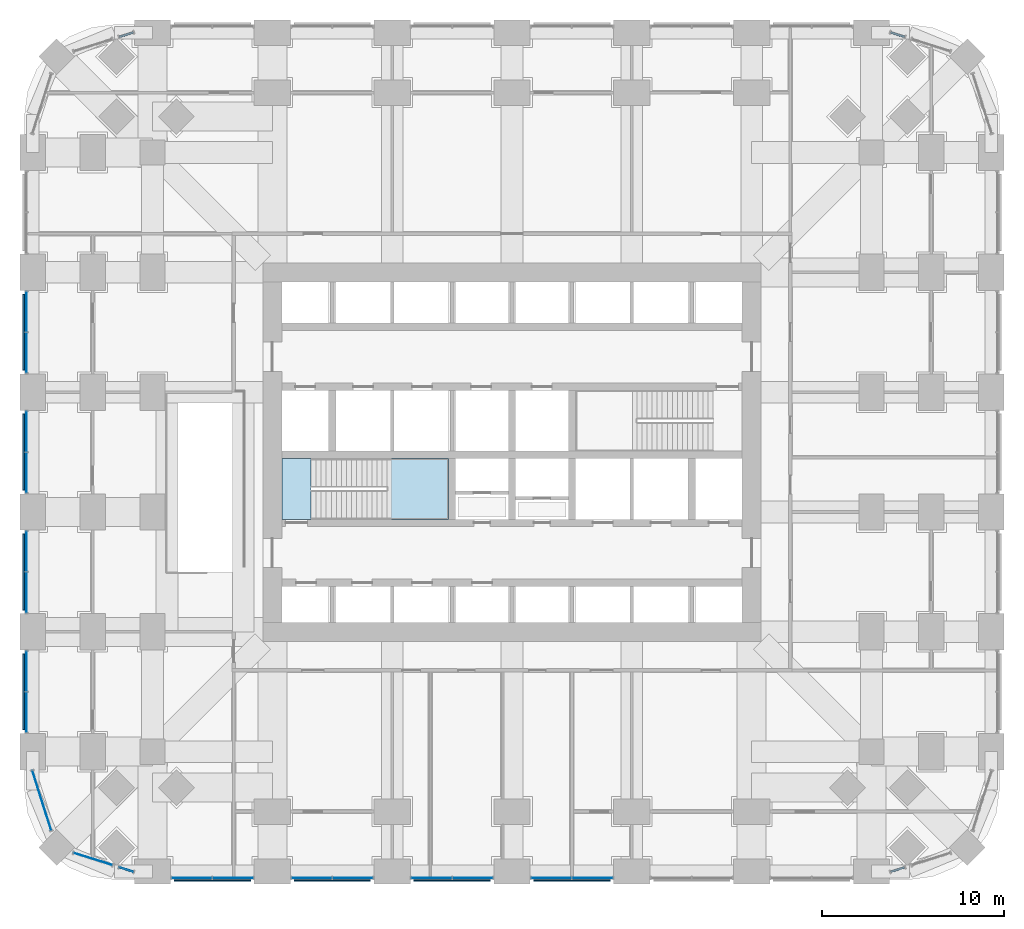
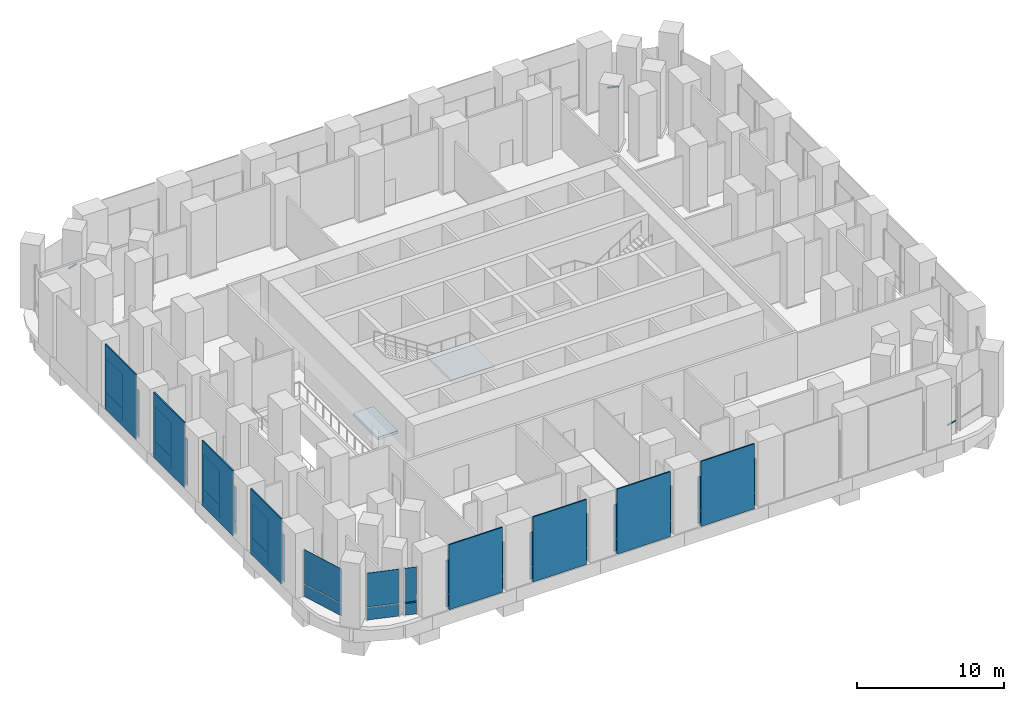
# One storey, part 7 of 17: 46 plates, 4 members, 2 slabs, 15 elements without a shape of their own.
"""IFC4 building model written with IfcOpenShell, lengths in metres."""

from ifc_helpers import new_model, si_unit, direction, frame, origin, origin_2d, place, context, subcontext, project, spatial, polyline, rectangle, outline, extrude, material, layer, layer_set, material_profile, profile_set, type_object, element, aggregate, save


model = new_model("IFC4")

# Units and contexts
model_context = context("Model", 3, precision=1e-05, world=origin(), true_north=direction((0.0, 1.0)))
body_context = subcontext(model_context, "Body", "Model", "MODEL_VIEW")
ifc_project = project(units=[si_unit("LENGTHUNIT", "METRE"), si_unit("AREAUNIT", "SQUARE_METRE"), si_unit("VOLUMEUNIT", "CUBIC_METRE"), si_unit("PLANEANGLEUNIT", "RADIAN"), si_unit("MASSUNIT", "GRAM", prefix="KILO")], contexts=[model_context])

# Site, building, storey
site_placement = place(None, origin())
site = spatial("IfcSite", under=ifc_project, at=site_placement, CompositionType="ELEMENT")
building_placement = place(site_placement, origin())
building = spatial("IfcBuilding", under=site, at=building_placement, Name="Cobogo Forest Laboratory Tower", CompositionType="ELEMENT")
storey_placement = place(building_placement, frame((0.0, 0.0, 7.199951171875)))
storey = spatial("IfcBuildingStorey", under=building, at=storey_placement, Name="L01", CompositionType="ELEMENT", Elevation=7.199951171875)

# Curtain wall, member
ifc_material_1 = material(Name="Aluminium curtain wall", Category="aluminium")
curtain_wall_type = type_object("IfcCurtainWallType", Name="CW-K stick curtain wall, podium laboratories", PredefinedType="USERDEFINED", material=ifc_material_1)
curtain_wall_1_placement = place(storey_placement, origin())
curtain_wall_1 = element("IfcCurtainWall", 1, at=curtain_wall_1_placement, inside=storey, type_object=curtain_wall_type, Name="Curtain wall 07 L01", ObjectType="STICK CURTAIN WALL", PredefinedType="USERDEFINED")
ifc_material_2 = material(Name="Aluminium transom", Category="aluminium")
ifc_material_profile = material_profile(ifc_material_2, rectangle(XDim=0.1201171875, YDim=0.06005859375, at=origin_2d()), Name="AL 60x120")
ifc_profile_set = profile_set([ifc_material_profile], Name="Aluminium transom")
member_type = type_object("IfcMemberType", Name="TR-1 aluminium transom 60x120", PredefinedType="USERDEFINED", material=ifc_profile_set)
member_1_placement = place(storey_placement, frame((47.25732421875, -0.01611328125, 1.050048828125), z_axis=(0.953541389606, 0.301262042596, 0.0), x_axis=(-0.301262042596, 0.953541389606, 0.0)))
member_1 = element("IfcMember", 2, at=member_1_placement, type_object=member_type, Name="CW-K transom 1.1", ObjectType="TRANSOM", PredefinedType="USERDEFINED", context=body_context, shape_type="SweptSolid", body=[
    extrude(rectangle(XDim=0.1201171875, YDim=0.06005859375, at=origin_2d()), origin(), (0.0, 0.0, 1.0), 0.8046875),
])
aggregate(curtain_wall_1, [member_1])

curtain_wall_2_placement = place(storey_placement, origin())
curtain_wall_2 = element("IfcCurtainWall", 3, at=curtain_wall_2_placement, inside=storey, type_object=curtain_wall_type, Name="Curtain wall 17 L01", ObjectType="STICK CURTAIN WALL", PredefinedType="USERDEFINED")
member_2_placement = place(storey_placement, frame((48.024658203125, 45.973876953125, 1.050048828125), z_axis=(-0.953628510017, 0.300986153973, 0.0), x_axis=(-0.300986153973, -0.953628510017, 0.0)))
member_2 = element("IfcMember", 4, at=member_2_placement, type_object=member_type, Name="CW-K transom 1.1", ObjectType="TRANSOM", PredefinedType="USERDEFINED", context=body_context, shape_type="SweptSolid", body=[
    extrude(rectangle(XDim=0.1201171875, YDim=0.06005859375, at=origin_2d()), origin(), (0.0, 0.0, 1.0), 0.8046875),
])
aggregate(curtain_wall_2, [member_2])

curtain_wall_3_placement = place(storey_placement, origin())
curtain_wall_3 = element("IfcCurtainWall", 5, at=curtain_wall_3_placement, inside=storey, type_object=curtain_wall_type, Name="Curtain wall 24 L01", ObjectType="STICK CURTAIN WALL", PredefinedType="USERDEFINED")
member_3_placement = place(storey_placement, frame((5.542724609375, 46.216064453125, 1.050048828125), z_axis=(-0.953628510017, -0.300986153973, 0.0), x_axis=(0.300986153973, -0.953628510017, 0.0)))
member_3 = element("IfcMember", 6, at=member_3_placement, type_object=member_type, Name="CW-K transom 1.1", ObjectType="TRANSOM", PredefinedType="USERDEFINED", context=body_context, shape_type="SweptSolid", body=[
    extrude(rectangle(XDim=0.1201171875, YDim=0.06005859375, at=origin_2d()), origin(), (0.0, 0.0, 1.0), 0.8046875),
])
aggregate(curtain_wall_3, [member_3])

curtain_wall_4_placement = place(storey_placement, origin())
curtain_wall_4 = element("IfcCurtainWall", 7, at=curtain_wall_4_placement, inside=storey, type_object=curtain_wall_type, Name="Curtain wall 34 L01", ObjectType="STICK CURTAIN WALL", PredefinedType="USERDEFINED")
member_4_placement = place(storey_placement, frame((4.775390625, 0.226318359375, 1.050048828125), z_axis=(0.953541389606, -0.301262042596, 0.0), x_axis=(0.301262042596, 0.953541389606, 0.0)))
member_4 = element("IfcMember", 8, at=member_4_placement, type_object=member_type, Name="CW-K transom 1.1", ObjectType="TRANSOM", PredefinedType="USERDEFINED", context=body_context, shape_type="SweptSolid", body=[
    extrude(rectangle(XDim=0.1201171875, YDim=0.06005859375, at=origin_2d()), origin(), (0.0, 0.0, 1.0), 0.8046875),
])

# Plates
ifc_material_3 = material(Name="Pierced concrete block", Category="concrete")
ifc_layer_1 = layer(ifc_material_3, 0.10009765625)
ifc_layer_set_1 = layer_set([ifc_layer_1], Name="CO1 cobogo block screen 100")
plate_type_1 = type_object("IfcPlateType", Name="CO1 cobogo block screen 100", PredefinedType="USERDEFINED", material=ifc_layer_set_1)
for number, where, z_axis, x_axis, name in (
    (9, (9.89990234375, -0.5, -0.14990234375), (0.0, 0.0, 1.0), (1.0, 0.0, 0.0), "Cobogo screen S1 L01"),
    (10, (16.5, -0.5, -0.14990234375), (0.0, 0.0, 1.0), (1.0, 0.0, 0.0), "Cobogo screen S2 L01"),
    (11, (23.10009765625, -0.5, -0.14990234375), (0.0, 0.0, 1.0), (1.0, 0.0, 0.0), "Cobogo screen S3 L01"),
    (12, (29.699951171875, -0.5, -0.14990234375), (0.0, 0.0, 1.0), (1.0, 0.0, 0.0), "Cobogo screen S4 L01"),
    (13, (-0.5, 9.89990234375, -0.14990234375), (0.0, 0.0, 1.0), (0.0, 1.0, 0.0), "Cobogo screen W1 L01"),
    (14, (-0.5, 16.5, -0.14990234375), (0.0, 0.0, 1.0), (0.0, 1.0, 0.0), "Cobogo screen W2 L01"),
    (15, (-0.5, 23.10009765625, -0.14990234375), (0.0, 0.0, 1.0), (0.0, 1.0, 0.0), "Cobogo screen W3 L01"),
    (16, (-0.5, 29.699951171875, -0.14990234375), (0.0, 0.0, 1.0), (0.0, 1.0, 0.0), "Cobogo screen W4 L01"),
):
    element("IfcPlate", number, at=place(storey_placement, frame(where, z_axis=z_axis, x_axis=x_axis)), inside=storey, type_object=plate_type_1, Name=name, ObjectType="COBOGO SCREEN", PredefinedType="USERDEFINED", context=body_context, shape_type="SweptSolid", body=[
        extrude(rectangle(XDim=4.199951171875, YDim=0.10009765625, at=origin_2d()), origin(), (0.0, 0.0, 1.0), 5.39990234375),
    ])

# Curtain wall, plates
curtain_wall_5_placement = place(storey_placement, origin())
curtain_wall_5 = element("IfcCurtainWall", 17, at=curtain_wall_5_placement, inside=storey, type_object=curtain_wall_type, Name="Curtain wall 01 L01", ObjectType="STICK CURTAIN WALL", PredefinedType="USERDEFINED")
ifc_material_4 = material(Name="Clear insulated glass", Category="glass")
ifc_layer_2 = layer(ifc_material_4, 0.028076171875)
ifc_layer_set_2 = layer_set([ifc_layer_2], Name="GP-1 clear insulated glass unit 28")
plate_type_2 = type_object("IfcPlateType", Name="GP-1 clear insulated glass unit 28", PredefinedType="CURTAIN_PANEL", material=ifc_layer_set_2)
plate_1_placement = place(storey_placement, frame((8.764892578125, -0.35009765625, 0.0), z_axis=(0.0, 0.0, 1.0), x_axis=(1.0, 0.0, 0.0)))
plate_1 = element("IfcPlate", 18, at=plate_1_placement, type_object=plate_type_2, Name="CW-K panel 1.1", PredefinedType="CURTAIN_PANEL", context=body_context, shape_type="SweptSolid", body=[
    extrude(rectangle(XDim=2.2099609375, YDim=0.028076171875, at=origin_2d()), origin(), (0.0, 0.0, 1.0), 1.02001953125),
])
plate_2_placement = place(storey_placement, frame((8.764892578125, -0.35009765625, 1.080078125), z_axis=(0.0, 0.0, 1.0), x_axis=(1.0, 0.0, 0.0)))
plate_2 = element("IfcPlate", 19, at=plate_2_placement, type_object=plate_type_2, Name="CW-K panel 1.2", PredefinedType="CURTAIN_PANEL", context=body_context, shape_type="SweptSolid", body=[
    extrude(rectangle(XDim=2.2099609375, YDim=0.028076171875, at=origin_2d()), origin(), (0.0, 0.0, 1.0), 2.820068359375),
])
plate_3_placement = place(storey_placement, frame((11.034912109375, -0.35009765625, 0.0), z_axis=(0.0, 0.0, 1.0), x_axis=(1.0, 0.0, 0.0)))
plate_3 = element("IfcPlate", 20, at=plate_3_placement, type_object=plate_type_2, Name="CW-K panel 2.1", PredefinedType="CURTAIN_PANEL", context=body_context, shape_type="SweptSolid", body=[
    extrude(rectangle(XDim=2.2099609375, YDim=0.028076171875, at=origin_2d()), origin(), (0.0, 0.0, 1.0), 1.02001953125),
])
plate_4_placement = place(storey_placement, frame((11.034912109375, -0.35009765625, 1.080078125), z_axis=(0.0, 0.0, 1.0), x_axis=(1.0, 0.0, 0.0)))
plate_4 = element("IfcPlate", 21, at=plate_4_placement, type_object=plate_type_2, Name="CW-K panel 2.2", PredefinedType="CURTAIN_PANEL", context=body_context, shape_type="SweptSolid", body=[
    extrude(rectangle(XDim=2.2099609375, YDim=0.028076171875, at=origin_2d()), origin(), (0.0, 0.0, 1.0), 2.820068359375),
])
aggregate(curtain_wall_5, [plate_1, plate_2, plate_3, plate_4])

curtain_wall_6_placement = place(storey_placement, origin())
curtain_wall_6 = element("IfcCurtainWall", 22, at=curtain_wall_6_placement, inside=storey, type_object=curtain_wall_type, Name="Curtain wall 02 L01", ObjectType="STICK CURTAIN WALL", PredefinedType="USERDEFINED")
plate_5_placement = place(storey_placement, frame((15.364990234375, -0.35009765625, 0.0), z_axis=(0.0, 0.0, 1.0), x_axis=(1.0, 0.0, 0.0)))
plate_5 = element("IfcPlate", 23, at=plate_5_placement, type_object=plate_type_2, Name="CW-K panel 1.1", PredefinedType="CURTAIN_PANEL", context=body_context, shape_type="SweptSolid", body=[
    extrude(rectangle(XDim=2.2099609375, YDim=0.028076171875, at=origin_2d()), origin(), (0.0, 0.0, 1.0), 1.02001953125),
])
plate_6_placement = place(storey_placement, frame((15.364990234375, -0.35009765625, 1.080078125), z_axis=(0.0, 0.0, 1.0), x_axis=(1.0, 0.0, 0.0)))
plate_6 = element("IfcPlate", 24, at=plate_6_placement, type_object=plate_type_2, Name="CW-K panel 1.2", PredefinedType="CURTAIN_PANEL", context=body_context, shape_type="SweptSolid", body=[
    extrude(rectangle(XDim=2.2099609375, YDim=0.028076171875, at=origin_2d()), origin(), (0.0, 0.0, 1.0), 2.820068359375),
])
plate_7_placement = place(storey_placement, frame((17.635009765625, -0.35009765625, 0.0), z_axis=(0.0, 0.0, 1.0), x_axis=(1.0, 0.0, 0.0)))
plate_7 = element("IfcPlate", 25, at=plate_7_placement, type_object=plate_type_2, Name="CW-K panel 2.1", PredefinedType="CURTAIN_PANEL", context=body_context, shape_type="SweptSolid", body=[
    extrude(rectangle(XDim=2.2099609375, YDim=0.028076171875, at=origin_2d()), origin(), (0.0, 0.0, 1.0), 1.02001953125),
])
plate_8_placement = place(storey_placement, frame((17.635009765625, -0.35009765625, 1.080078125), z_axis=(0.0, 0.0, 1.0), x_axis=(1.0, 0.0, 0.0)))
plate_8 = element("IfcPlate", 26, at=plate_8_placement, type_object=plate_type_2, Name="CW-K panel 2.2", PredefinedType="CURTAIN_PANEL", context=body_context, shape_type="SweptSolid", body=[
    extrude(rectangle(XDim=2.2099609375, YDim=0.028076171875, at=origin_2d()), origin(), (0.0, 0.0, 1.0), 2.820068359375),
])
aggregate(curtain_wall_6, [plate_5, plate_6, plate_7, plate_8])

curtain_wall_7_placement = place(storey_placement, origin())
curtain_wall_7 = element("IfcCurtainWall", 27, at=curtain_wall_7_placement, inside=storey, type_object=curtain_wall_type, Name="Curtain wall 03 L01", ObjectType="STICK CURTAIN WALL", PredefinedType="USERDEFINED")
plate_9_placement = place(storey_placement, frame((21.965087890625, -0.35009765625, 0.0), z_axis=(0.0, 0.0, 1.0), x_axis=(1.0, 0.0, 0.0)))
plate_9 = element("IfcPlate", 28, at=plate_9_placement, type_object=plate_type_2, Name="CW-K panel 1.1", PredefinedType="CURTAIN_PANEL", context=body_context, shape_type="SweptSolid", body=[
    extrude(rectangle(XDim=2.2099609375, YDim=0.028076171875, at=origin_2d()), origin(), (0.0, 0.0, 1.0), 1.02001953125),
])
plate_10_placement = place(storey_placement, frame((21.965087890625, -0.35009765625, 1.080078125), z_axis=(0.0, 0.0, 1.0), x_axis=(1.0, 0.0, 0.0)))
plate_10 = element("IfcPlate", 29, at=plate_10_placement, type_object=plate_type_2, Name="CW-K panel 1.2", PredefinedType="CURTAIN_PANEL", context=body_context, shape_type="SweptSolid", body=[
    extrude(rectangle(XDim=2.2099609375, YDim=0.028076171875, at=origin_2d()), origin(), (0.0, 0.0, 1.0), 2.820068359375),
])
plate_11_placement = place(storey_placement, frame((24.235107421875, -0.35009765625, 0.0), z_axis=(0.0, 0.0, 1.0), x_axis=(1.0, 0.0, 0.0)))
plate_11 = element("IfcPlate", 30, at=plate_11_placement, type_object=plate_type_2, Name="CW-K panel 2.1", PredefinedType="CURTAIN_PANEL", context=body_context, shape_type="SweptSolid", body=[
    extrude(rectangle(XDim=2.2099609375, YDim=0.028076171875, at=origin_2d()), origin(), (0.0, 0.0, 1.0), 1.02001953125),
])
plate_12_placement = place(storey_placement, frame((24.235107421875, -0.35009765625, 1.080078125), z_axis=(0.0, 0.0, 1.0), x_axis=(1.0, 0.0, 0.0)))
plate_12 = element("IfcPlate", 31, at=plate_12_placement, type_object=plate_type_2, Name="CW-K panel 2.2", PredefinedType="CURTAIN_PANEL", context=body_context, shape_type="SweptSolid", body=[
    extrude(rectangle(XDim=2.2099609375, YDim=0.028076171875, at=origin_2d()), origin(), (0.0, 0.0, 1.0), 2.820068359375),
])
aggregate(curtain_wall_7, [plate_9, plate_10, plate_11, plate_12])

curtain_wall_8_placement = place(storey_placement, origin())
curtain_wall_8 = element("IfcCurtainWall", 32, at=curtain_wall_8_placement, inside=storey, type_object=curtain_wall_type, Name="Curtain wall 04 L01", ObjectType="STICK CURTAIN WALL", PredefinedType="USERDEFINED")
plate_13_placement = place(storey_placement, frame((28.56494140625, -0.35009765625, 0.0), z_axis=(0.0, 0.0, 1.0), x_axis=(1.0, 0.0, 0.0)))
plate_13 = element("IfcPlate", 33, at=plate_13_placement, type_object=plate_type_2, Name="CW-K panel 1.1", PredefinedType="CURTAIN_PANEL", context=body_context, shape_type="SweptSolid", body=[
    extrude(rectangle(XDim=2.2099609375, YDim=0.028076171875, at=origin_2d()), origin(), (0.0, 0.0, 1.0), 1.02001953125),
])
plate_14_placement = place(storey_placement, frame((28.56494140625, -0.35009765625, 1.080078125), z_axis=(0.0, 0.0, 1.0), x_axis=(1.0, 0.0, 0.0)))
plate_14 = element("IfcPlate", 34, at=plate_14_placement, type_object=plate_type_2, Name="CW-K panel 1.2", PredefinedType="CURTAIN_PANEL", context=body_context, shape_type="SweptSolid", body=[
    extrude(rectangle(XDim=2.2099609375, YDim=0.028076171875, at=origin_2d()), origin(), (0.0, 0.0, 1.0), 2.820068359375),
])
plate_15_placement = place(storey_placement, frame((30.8349609375, -0.35009765625, 0.0), z_axis=(0.0, 0.0, 1.0), x_axis=(1.0, 0.0, 0.0)))
plate_15 = element("IfcPlate", 35, at=plate_15_placement, type_object=plate_type_2, Name="CW-K panel 2.1", PredefinedType="CURTAIN_PANEL", context=body_context, shape_type="SweptSolid", body=[
    extrude(rectangle(XDim=2.2099609375, YDim=0.028076171875, at=origin_2d()), origin(), (0.0, 0.0, 1.0), 1.02001953125),
])
plate_16_placement = place(storey_placement, frame((30.8349609375, -0.35009765625, 1.080078125), z_axis=(0.0, 0.0, 1.0), x_axis=(1.0, 0.0, 0.0)))
plate_16 = element("IfcPlate", 36, at=plate_16_placement, type_object=plate_type_2, Name="CW-K panel 2.2", PredefinedType="CURTAIN_PANEL", context=body_context, shape_type="SweptSolid", body=[
    extrude(rectangle(XDim=2.2099609375, YDim=0.028076171875, at=origin_2d()), origin(), (0.0, 0.0, 1.0), 2.820068359375),
])
aggregate(curtain_wall_8, [plate_13, plate_14, plate_15, plate_16])

curtain_wall_9_placement = place(storey_placement, origin())
curtain_wall_9 = element("IfcCurtainWall", 37, at=curtain_wall_9_placement, inside=storey, type_object=curtain_wall_type, Name="Curtain wall 28 L01", ObjectType="STICK CURTAIN WALL", PredefinedType="USERDEFINED")
plate_17_placement = place(storey_placement, frame((-0.35009765625, 30.8349609375, 0.0), z_axis=(0.0, 0.0, 1.0), x_axis=(0.0, -1.0, 0.0)))
plate_17 = element("IfcPlate", 38, at=plate_17_placement, type_object=plate_type_2, Name="CW-K panel 1.1", PredefinedType="CURTAIN_PANEL", context=body_context, shape_type="SweptSolid", body=[
    extrude(rectangle(XDim=2.2099609375, YDim=0.028076171875, at=origin_2d()), origin(), (0.0, 0.0, 1.0), 1.02001953125),
])
plate_18_placement = place(storey_placement, frame((-0.35009765625, 30.8349609375, 1.080078125), z_axis=(0.0, 0.0, 1.0), x_axis=(0.0, -1.0, 0.0)))
plate_18 = element("IfcPlate", 39, at=plate_18_placement, type_object=plate_type_2, Name="CW-K panel 1.2", PredefinedType="CURTAIN_PANEL", context=body_context, shape_type="SweptSolid", body=[
    extrude(rectangle(XDim=2.2099609375, YDim=0.028076171875, at=origin_2d()), origin(), (0.0, 0.0, 1.0), 2.820068359375),
])
plate_19_placement = place(storey_placement, frame((-0.35009765625, 28.56494140625, 0.0), z_axis=(0.0, 0.0, 1.0), x_axis=(0.0, -1.0, 0.0)))
plate_19 = element("IfcPlate", 40, at=plate_19_placement, type_object=plate_type_2, Name="CW-K panel 2.1", PredefinedType="CURTAIN_PANEL", context=body_context, shape_type="SweptSolid", body=[
    extrude(rectangle(XDim=2.2099609375, YDim=0.028076171875, at=origin_2d()), origin(), (0.0, 0.0, 1.0), 1.02001953125),
])
plate_20_placement = place(storey_placement, frame((-0.35009765625, 28.56494140625, 1.080078125), z_axis=(0.0, 0.0, 1.0), x_axis=(0.0, -1.0, 0.0)))
plate_20 = element("IfcPlate", 41, at=plate_20_placement, type_object=plate_type_2, Name="CW-K panel 2.2", PredefinedType="CURTAIN_PANEL", context=body_context, shape_type="SweptSolid", body=[
    extrude(rectangle(XDim=2.2099609375, YDim=0.028076171875, at=origin_2d()), origin(), (0.0, 0.0, 1.0), 2.820068359375),
])
aggregate(curtain_wall_9, [plate_17, plate_18, plate_19, plate_20])

curtain_wall_10_placement = place(storey_placement, origin())
curtain_wall_10 = element("IfcCurtainWall", 42, at=curtain_wall_10_placement, inside=storey, type_object=curtain_wall_type, Name="Curtain wall 29 L01", ObjectType="STICK CURTAIN WALL", PredefinedType="USERDEFINED")
plate_21_placement = place(storey_placement, frame((-0.35009765625, 24.235107421875, 0.0), z_axis=(0.0, 0.0, 1.0), x_axis=(0.0, -1.0, 0.0)))
plate_21 = element("IfcPlate", 43, at=plate_21_placement, type_object=plate_type_2, Name="CW-K panel 1.1", PredefinedType="CURTAIN_PANEL", context=body_context, shape_type="SweptSolid", body=[
    extrude(rectangle(XDim=2.2099609375, YDim=0.028076171875, at=origin_2d()), origin(), (0.0, 0.0, 1.0), 1.02001953125),
])
plate_22_placement = place(storey_placement, frame((-0.35009765625, 24.235107421875, 1.080078125), z_axis=(0.0, 0.0, 1.0), x_axis=(0.0, -1.0, 0.0)))
plate_22 = element("IfcPlate", 44, at=plate_22_placement, type_object=plate_type_2, Name="CW-K panel 1.2", PredefinedType="CURTAIN_PANEL", context=body_context, shape_type="SweptSolid", body=[
    extrude(rectangle(XDim=2.2099609375, YDim=0.028076171875, at=origin_2d()), origin(), (0.0, 0.0, 1.0), 2.820068359375),
])
plate_23_placement = place(storey_placement, frame((-0.35009765625, 21.965087890625, 0.0), z_axis=(0.0, 0.0, 1.0), x_axis=(0.0, -1.0, 0.0)))
plate_23 = element("IfcPlate", 45, at=plate_23_placement, type_object=plate_type_2, Name="CW-K panel 2.1", PredefinedType="CURTAIN_PANEL", context=body_context, shape_type="SweptSolid", body=[
    extrude(rectangle(XDim=2.2099609375, YDim=0.028076171875, at=origin_2d()), origin(), (0.0, 0.0, 1.0), 1.02001953125),
])
plate_24_placement = place(storey_placement, frame((-0.35009765625, 21.965087890625, 1.080078125), z_axis=(0.0, 0.0, 1.0), x_axis=(0.0, -1.0, 0.0)))
plate_24 = element("IfcPlate", 46, at=plate_24_placement, type_object=plate_type_2, Name="CW-K panel 2.2", PredefinedType="CURTAIN_PANEL", context=body_context, shape_type="SweptSolid", body=[
    extrude(rectangle(XDim=2.2099609375, YDim=0.028076171875, at=origin_2d()), origin(), (0.0, 0.0, 1.0), 2.820068359375),
])
aggregate(curtain_wall_10, [plate_21, plate_22, plate_23, plate_24])

curtain_wall_11_placement = place(storey_placement, origin())
curtain_wall_11 = element("IfcCurtainWall", 47, at=curtain_wall_11_placement, inside=storey, type_object=curtain_wall_type, Name="Curtain wall 30 L01", ObjectType="STICK CURTAIN WALL", PredefinedType="USERDEFINED")
plate_25_placement = place(storey_placement, frame((-0.35009765625, 17.635009765625, 0.0), z_axis=(0.0, 0.0, 1.0), x_axis=(0.0, -1.0, 0.0)))
plate_25 = element("IfcPlate", 48, at=plate_25_placement, type_object=plate_type_2, Name="CW-K panel 1.1", PredefinedType="CURTAIN_PANEL", context=body_context, shape_type="SweptSolid", body=[
    extrude(rectangle(XDim=2.2099609375, YDim=0.028076171875, at=origin_2d()), origin(), (0.0, 0.0, 1.0), 1.02001953125),
])
plate_26_placement = place(storey_placement, frame((-0.35009765625, 17.635009765625, 1.080078125), z_axis=(0.0, 0.0, 1.0), x_axis=(0.0, -1.0, 0.0)))
plate_26 = element("IfcPlate", 49, at=plate_26_placement, type_object=plate_type_2, Name="CW-K panel 1.2", PredefinedType="CURTAIN_PANEL", context=body_context, shape_type="SweptSolid", body=[
    extrude(rectangle(XDim=2.2099609375, YDim=0.028076171875, at=origin_2d()), origin(), (0.0, 0.0, 1.0), 2.820068359375),
])
plate_27_placement = place(storey_placement, frame((-0.35009765625, 15.364990234375, 0.0), z_axis=(0.0, 0.0, 1.0), x_axis=(0.0, -1.0, 0.0)))
plate_27 = element("IfcPlate", 50, at=plate_27_placement, type_object=plate_type_2, Name="CW-K panel 2.1", PredefinedType="CURTAIN_PANEL", context=body_context, shape_type="SweptSolid", body=[
    extrude(rectangle(XDim=2.2099609375, YDim=0.028076171875, at=origin_2d()), origin(), (0.0, 0.0, 1.0), 1.02001953125),
])
plate_28_placement = place(storey_placement, frame((-0.35009765625, 15.364990234375, 1.080078125), z_axis=(0.0, 0.0, 1.0), x_axis=(0.0, -1.0, 0.0)))
plate_28 = element("IfcPlate", 51, at=plate_28_placement, type_object=plate_type_2, Name="CW-K panel 2.2", PredefinedType="CURTAIN_PANEL", context=body_context, shape_type="SweptSolid", body=[
    extrude(rectangle(XDim=2.2099609375, YDim=0.028076171875, at=origin_2d()), origin(), (0.0, 0.0, 1.0), 2.820068359375),
])
aggregate(curtain_wall_11, [plate_25, plate_26, plate_27, plate_28])

curtain_wall_12_placement = place(storey_placement, origin())
curtain_wall_12 = element("IfcCurtainWall", 52, at=curtain_wall_12_placement, inside=storey, type_object=curtain_wall_type, Name="Curtain wall 31 L01", ObjectType="STICK CURTAIN WALL", PredefinedType="USERDEFINED")
plate_29_placement = place(storey_placement, frame((-0.35009765625, 11.034912109375, 0.0), z_axis=(0.0, 0.0, 1.0), x_axis=(0.0, -1.0, 0.0)))
plate_29 = element("IfcPlate", 53, at=plate_29_placement, type_object=plate_type_2, Name="CW-K panel 1.1", PredefinedType="CURTAIN_PANEL", context=body_context, shape_type="SweptSolid", body=[
    extrude(rectangle(XDim=2.2099609375, YDim=0.028076171875, at=origin_2d()), origin(), (0.0, 0.0, 1.0), 1.02001953125),
])
plate_30_placement = place(storey_placement, frame((-0.35009765625, 11.034912109375, 1.080078125), z_axis=(0.0, 0.0, 1.0), x_axis=(0.0, -1.0, 0.0)))
plate_30 = element("IfcPlate", 54, at=plate_30_placement, type_object=plate_type_2, Name="CW-K panel 1.2", PredefinedType="CURTAIN_PANEL", context=body_context, shape_type="SweptSolid", body=[
    extrude(rectangle(XDim=2.2099609375, YDim=0.028076171875, at=origin_2d()), origin(), (0.0, 0.0, 1.0), 2.820068359375),
])
plate_31_placement = place(storey_placement, frame((-0.35009765625, 8.764892578125, 0.0), z_axis=(0.0, 0.0, 1.0), x_axis=(0.0, -1.0, 0.0)))
plate_31 = element("IfcPlate", 55, at=plate_31_placement, type_object=plate_type_2, Name="CW-K panel 2.1", PredefinedType="CURTAIN_PANEL", context=body_context, shape_type="SweptSolid", body=[
    extrude(rectangle(XDim=2.2099609375, YDim=0.028076171875, at=origin_2d()), origin(), (0.0, 0.0, 1.0), 1.02001953125),
])
plate_32_placement = place(storey_placement, frame((-0.35009765625, 8.764892578125, 1.080078125), z_axis=(0.0, 0.0, 1.0), x_axis=(0.0, -1.0, 0.0)))
plate_32 = element("IfcPlate", 56, at=plate_32_placement, type_object=plate_type_2, Name="CW-K panel 2.2", PredefinedType="CURTAIN_PANEL", context=body_context, shape_type="SweptSolid", body=[
    extrude(rectangle(XDim=2.2099609375, YDim=0.028076171875, at=origin_2d()), origin(), (0.0, 0.0, 1.0), 2.820068359375),
])
aggregate(curtain_wall_12, [plate_29, plate_30, plate_31, plate_32])

curtain_wall_13_placement = place(storey_placement, origin())
curtain_wall_13 = element("IfcCurtainWall", 57, at=curtain_wall_13_placement, inside=storey, type_object=curtain_wall_type, Name="Curtain wall 32 L01", ObjectType="STICK CURTAIN WALL", PredefinedType="USERDEFINED")
plate_33_placement = place(storey_placement, frame((0.5009765625, 3.905029296875, 0.0), z_axis=(0.0, 0.0, 1.0), x_axis=(0.301135433696, -0.953581381201, 0.0)))
plate_33 = element("IfcPlate", 58, at=plate_33_placement, type_object=plate_type_2, Name="CW-K panel 1.1", PredefinedType="CURTAIN_PANEL", context=body_context, shape_type="SweptSolid", body=[
    extrude(rectangle(XDim=3.434814453125, YDim=0.028076171875, at=origin_2d()), origin(), (0.0, 0.0, 1.0), 1.02001953125),
])
plate_34_placement = place(storey_placement, frame((0.5009765625, 3.905029296875, 1.080078125), z_axis=(0.0, 0.0, 1.0), x_axis=(0.301135433696, -0.953581381201, 0.0)))
plate_34 = element("IfcPlate", 59, at=plate_34_placement, type_object=plate_type_2, Name="CW-K panel 1.2", PredefinedType="CURTAIN_PANEL", context=body_context, shape_type="SweptSolid", body=[
    extrude(rectangle(XDim=3.434814453125, YDim=0.028076171875, at=origin_2d()), origin(), (0.0, 0.0, 1.0), 2.820068359375),
])
aggregate(curtain_wall_13, [plate_33, plate_34])

curtain_wall_14_placement = place(storey_placement, origin())
curtain_wall_14 = element("IfcCurtainWall", 60, at=curtain_wall_14_placement, inside=storey, type_object=curtain_wall_type, Name="Curtain wall 33 L01", ObjectType="STICK CURTAIN WALL", PredefinedType="USERDEFINED")
plate_35_placement = place(storey_placement, frame((3.31787109375, 0.6865234375, 0.0), z_axis=(0.0, 0.0, 1.0), x_axis=(0.953581409645, -0.301135343623, 0.0)))
plate_35 = element("IfcPlate", 61, at=plate_35_placement, type_object=plate_type_2, Name="CW-K panel 1.1", PredefinedType="CURTAIN_PANEL", context=body_context, shape_type="SweptSolid", body=[
    extrude(rectangle(XDim=2.203369140625, YDim=0.028076171875, at=origin_2d()), origin(), (0.0, 0.0, 1.0), 1.02001953125),
])
plate_36_placement = place(storey_placement, frame((3.31787109375, 0.6865234375, 1.080078125), z_axis=(0.0, 0.0, 1.0), x_axis=(0.953581409645, -0.301135343623, 0.0)))
plate_36 = element("IfcPlate", 62, at=plate_36_placement, type_object=plate_type_2, Name="CW-K panel 1.2", PredefinedType="CURTAIN_PANEL", context=body_context, shape_type="SweptSolid", body=[
    extrude(rectangle(XDim=2.203369140625, YDim=0.028076171875, at=origin_2d()), origin(), (0.0, 0.0, 1.0), 2.820068359375),
])
aggregate(curtain_wall_14, [plate_35, plate_36])

# Plate
plate_37_placement = place(storey_placement, frame((5.158935546875, 0.10498046875, 0.0), z_axis=(0.0, 0.0, 1.0), x_axis=(0.953581406818, -0.301135352577, 0.0)))
plate_37 = element("IfcPlate", 63, at=plate_37_placement, type_object=plate_type_2, Name="CW-K panel 1.1", PredefinedType="CURTAIN_PANEL", context=body_context, shape_type="SweptSolid", body=[
    extrude(rectangle(XDim=0.804931640625, YDim=0.028076171875, at=origin_2d()), origin(), (0.0, 0.0, 1.0), 1.02001953125),
])

plate_38_placement = place(storey_placement, frame((5.158935546875, 0.10498046875, 1.080078125), z_axis=(0.0, 0.0, 1.0), x_axis=(0.953581406818, -0.301135352577, 0.0)))
plate_38 = element("IfcPlate", 64, at=plate_38_placement, type_object=plate_type_2, Name="CW-K panel 1.2", PredefinedType="CURTAIN_PANEL", context=body_context, shape_type="SweptSolid", body=[
    extrude(rectangle(XDim=0.804931640625, YDim=0.028076171875, at=origin_2d()), origin(), (0.0, 0.0, 1.0), 2.820068359375),
])

aggregate(curtain_wall_4, [member_4, plate_37, plate_38])

# Stair, slabs
ifc_material_5 = material(Name="Precast concrete HA-40 (C40/50)", Category="concrete")
stair_type = type_object("IfcStairType", Name="ST32 exit stair 32 risers", PredefinedType="HALF_TURN_STAIR", material=ifc_material_5)
stair_placement = place(storey_placement, origin())
stair = element("IfcStair", 65, at=stair_placement, inside=storey, type_object=stair_type, Name="Stair 1 L01 to L02", PredefinedType="HALF_TURN_STAIR")
ifc_material_6 = material(Name="Concrete HA-40 (C40/50)", Category="concrete")
ifc_layer_3 = layer(ifc_material_6, 0.199951171875)
ifc_layer_set_3 = layer_set([ifc_layer_3], Name="SL stair landing 200")
slab_type = type_object("IfcSlabType", Name="SL stair landing 200", PredefinedType="LANDING", material=ifc_layer_set_3)
slab_1_placement = place(storey_placement, frame((0.0, 0.0, -0.199951171875)))
slab_1 = element("IfcSlab", 66, at=slab_1_placement, type_object=slab_type, Name="ST1 landing 1", PredefinedType="LANDING", context=body_context, shape_type="SweptSolid", body=[
    extrude(outline(polyline([(13.72509765625, 19.39990234375), (15.326904296875, 19.39990234375), (15.326904296875, 22.75), (13.72509765625, 22.75), (13.72509765625, 19.39990234375)])), origin(), (0.0, 0.0, 1.0), 0.199951171875),
])
slab_2_placement = place(storey_placement, frame((0.0, 0.0, 2.5)))
slab_2 = element("IfcSlab", 67, at=slab_2_placement, type_object=slab_type, Name="ST1 landing 2", PredefinedType="LANDING", context=body_context, shape_type="SweptSolid", body=[
    extrude(outline(polyline([(19.52294921875, 19.39990234375), (22.89990234375, 19.39990234375), (22.89990234375, 22.75), (19.52294921875, 22.75), (19.52294921875, 19.39990234375)])), origin(), (0.0, 0.0, 1.0), 0.199951171875),
])
aggregate(stair, [slab_1, slab_2])

save(model, "model.ifc")
